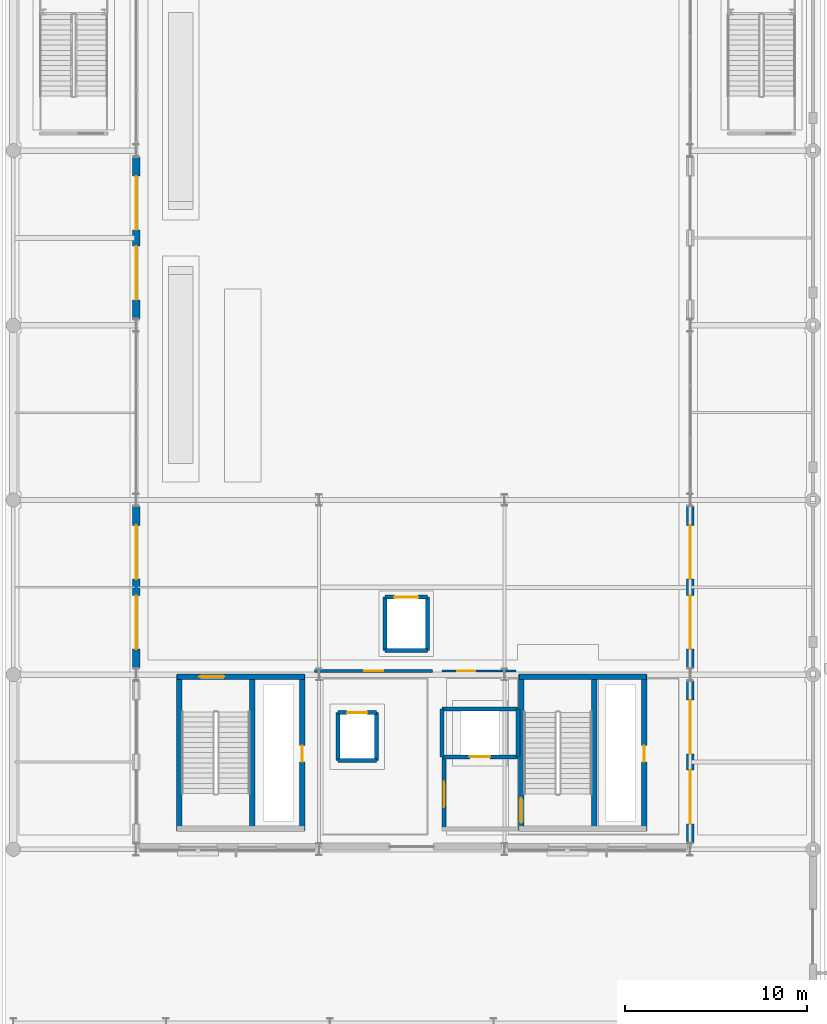
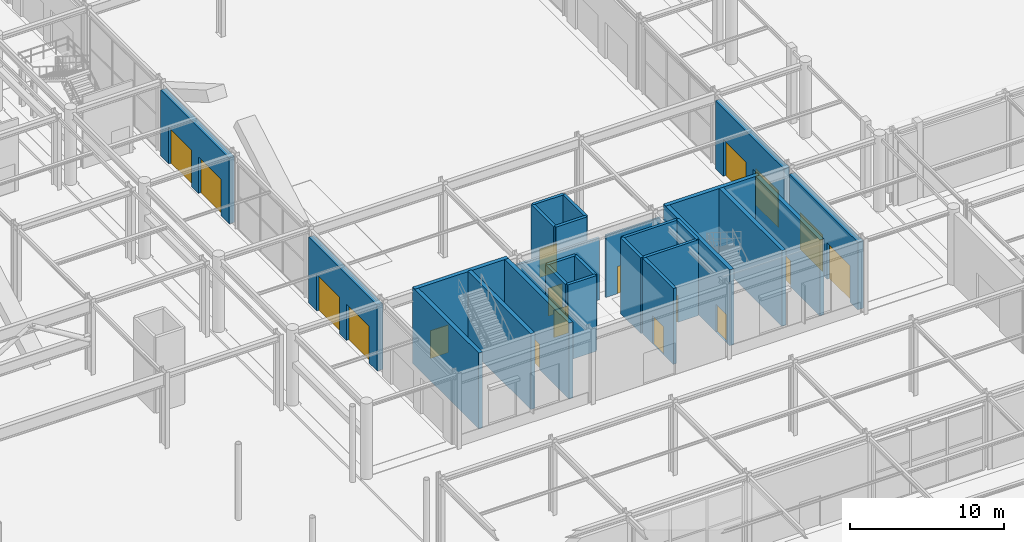
# One storey, part 60 of 113: 27 walls, 18 doors, 18 openings.
"""IFC4 building model written with IfcOpenShell, lengths in metres."""

from ifc_helpers import new_model, si_unit, direction, frame, frame_2d, origin, place, context, subcontext, project, spatial, rectangle, extrude, material, layer, layer_set, type_object, element, fill, save


model = new_model("IFC4")

# Units and contexts
model_context = context("Model", 3, precision=1e-05, world=origin(), true_north=direction((0.0, 1.0)))
body_context = subcontext(model_context, "Body", "Model", "MODEL_VIEW")
ifc_project = project(units=[si_unit("LENGTHUNIT", "METRE"), si_unit("AREAUNIT", "SQUARE_METRE"), si_unit("VOLUMEUNIT", "CUBIC_METRE"), si_unit("PLANEANGLEUNIT", "RADIAN"), si_unit("MASSUNIT", "GRAM", prefix="KILO")], contexts=[model_context])

# Site, building, storey
site_placement = place(None, origin())
site = spatial("IfcSite", under=ifc_project, at=site_placement, CompositionType="ELEMENT")
building_placement = place(site_placement, origin())
building = spatial("IfcBuilding", under=site, at=building_placement, Name="Myrtia Square Station", CompositionType="ELEMENT")
storey_placement = place(building_placement, origin())
storey = spatial("IfcBuildingStorey", under=building, at=storey_placement, Name="L00", CompositionType="ELEMENT", Elevation=0.0)

# Wall, opening, door
ifc_material_1 = material(Name="Concrete C35/45", Category="concrete")
ifc_layer_1 = layer(ifc_material_1, 0.300048828125, Name="Concrete C35/45")
ifc_layer_set_1 = layer_set([ifc_layer_1], Name="Concrete C35/45")
wall_type_1 = type_object("IfcWallType", Name="WL-CORE-300", PredefinedType="SHEAR", material=ifc_layer_set_1)
wall_1_placement = place(storey_placement, frame((81.60009765625, 38.27490234375, 0.0), z_axis=(0.0, 0.0, 1.0), x_axis=(1.0, 0.0, 0.0)))
wall_1 = element("IfcWall", 1, at=wall_1_placement, inside=storey, type_object=wall_type_1, Name="Core K1 shear wall L00 N", PredefinedType="SHEAR", context=body_context, shape_type="SweptSolid", body=[
    extrude(rectangle(XDim=7.0, YDim=0.300048828125, at=frame_2d((3.5, 0.0))), origin(), (0.0, 0.0, 1.0), 6.0),
])
opening_1_placement = place(wall_1_placement, frame((1.25, 0.0, 0.0)))
opening_1 = element("IfcOpeningElement", 2, at=opening_1_placement, cuts=wall_1, Name="Opening SD-003", PredefinedType="OPENING", context=body_context, shape_type="SweptSolid", body=[
    extrude(rectangle(XDim=1.35009765625, YDim=2.199951171875, at=frame_2d((0.675048828125, 1.10009765625))), frame((0.0, 0.1650390625, 0.0), z_axis=(0.0, -1.0, 0.0), x_axis=(1.0, 0.0, 0.0)), (0.0, 0.0, 1.0), 0.330078125),
])
ifc_material_2 = material(Name="Dark bronze anodised aluminium", Category="aluminium")
door_type_1 = type_object("IfcDoorType", Name="DR-STAIR-1350x2200", OperationType="NOTDEFINED", PredefinedType="DOOR", material=ifc_material_2)
door_1_placement = place(opening_1_placement, origin())
door_1 = element("IfcDoor", 3, at=door_1_placement, inside=storey, type_object=door_type_1, Name="Protected stair fire door K1 L00", OperationType="SINGLE_SWING_LEFT", OverallHeight=2.199951171875, OverallWidth=1.35009765625, PredefinedType="DOOR", context=body_context, shape_type="SweptSolid", body=[
    extrude(rectangle(XDim=1.35009765625, YDim=2.199951171875, at=frame_2d((0.675048828125, 1.10009765625))), frame((0.0, 0.02490234375, 0.0), z_axis=(0.0, -1.0, 0.0), x_axis=(1.0, 0.0, 0.0)), (0.0, 0.0, 1.0), 0.050048828125),
])
fill(opening_1, door_1)

# Wall
wall_2_placement = place(storey_placement, frame((81.72509765625, 29.800048828125, 0.0), z_axis=(0.0, 0.0, 1.0), x_axis=(0.0, 1.0, 0.0)))
element("IfcWall", 4, at=wall_2_placement, inside=storey, type_object=wall_type_1, Name="Core K1 shear wall L00 W", PredefinedType="SHEAR", context=body_context, shape_type="SweptSolid", body=[
    extrude(rectangle(XDim=8.599853515625, YDim=0.300048828125, at=frame_2d((4.2998046875, 0.0))), origin(), (0.0, 0.0, 1.0), 6.0),
])

# Wall, opening, door
wall_3_placement = place(storey_placement, frame((88.47509765625, 29.800048828125, 0.0), z_axis=(0.0, 0.0, 1.0), x_axis=(0.0, 1.0, 0.0)))
wall_3 = element("IfcWall", 5, at=wall_3_placement, inside=storey, type_object=wall_type_1, Name="Core K1 shear wall L00 E", PredefinedType="SHEAR", context=body_context, shape_type="SweptSolid", body=[
    extrude(rectangle(XDim=8.599853515625, YDim=0.300048828125, at=frame_2d((4.2998046875, 0.0))), origin(), (0.0, 0.0, 1.0), 6.0),
])
opening_2_placement = place(wall_3_placement, frame((3.800048828125, 0.0, 0.0)))
opening_2 = element("IfcOpeningElement", 6, at=opening_2_placement, cuts=wall_3, Name="Opening RD-004", PredefinedType="OPENING", context=body_context, shape_type="SweptSolid", body=[
    extrude(rectangle(XDim=0.89990234375, YDim=2.050048828125, at=frame_2d((0.449951171875, 1.02490234375))), frame((0.0, 0.1650390625, 0.0), z_axis=(0.0, -1.0, 0.0), x_axis=(1.0, 0.0, 0.0)), (0.0, 0.0, 1.0), 0.330078125),
])
door_type_2 = type_object("IfcDoorType", Name="DR-RISER-900x2050", OperationType="NOTDEFINED", PredefinedType="DOOR", material=ifc_material_2)
door_2_placement = place(opening_2_placement, origin())
door_2 = element("IfcDoor", 7, at=door_2_placement, inside=storey, type_object=door_type_2, Name="Riser cupboard access door K1 L00", OperationType="SINGLE_SWING_RIGHT", OverallHeight=2.050048828125, OverallWidth=0.89990234375, PredefinedType="DOOR", context=body_context, shape_type="SweptSolid", body=[
    extrude(rectangle(XDim=0.89990234375, YDim=2.050048828125, at=frame_2d((0.449951171875, 1.02490234375))), frame((0.0, 0.02490234375, 0.0), z_axis=(0.0, -1.0, 0.0), x_axis=(1.0, 0.0, 0.0)), (0.0, 0.0, 1.0), 0.050048828125),
])
fill(opening_2, door_2)

# Walls
wall_4_placement = place(storey_placement, frame((85.739990234375, 30.0, 0.0), z_axis=(0.0, 0.0, 1.0), x_axis=(0.0, 1.0, 0.0)))
element("IfcWall", 8, at=wall_4_placement, inside=storey, type_object=wall_type_1, Name="Core K1 shear wall L00 D", PredefinedType="SHEAR", context=body_context, shape_type="SweptSolid", body=[
    extrude(rectangle(XDim=8.199951171875, YDim=0.300048828125, at=frame_2d((4.10009765625, 0.0))), origin(), (0.0, 0.0, 1.0), 6.0),
])
wall_5_placement = place(storey_placement, frame((100.39990234375, 38.27490234375, 0.0), z_axis=(0.0, 0.0, 1.0), x_axis=(1.0, 0.0, 0.0)))
element("IfcWall", 9, at=wall_5_placement, inside=storey, type_object=wall_type_1, Name="Core K3 shear wall L00 N", PredefinedType="SHEAR", context=body_context, shape_type="SweptSolid", body=[
    extrude(rectangle(XDim=7.0, YDim=0.300048828125, at=frame_2d((3.5, 0.0))), origin(), (0.0, 0.0, 1.0), 6.0),
])

# Wall, opening, door
wall_6_placement = place(storey_placement, frame((100.52490234375, 29.800048828125, 0.0), z_axis=(0.0, 0.0, 1.0), x_axis=(0.0, 1.0, 0.0)))
wall_6 = element("IfcWall", 10, at=wall_6_placement, inside=storey, type_object=wall_type_1, Name="Core K3 shear wall L00 W", PredefinedType="SHEAR", context=body_context, shape_type="SweptSolid", body=[
    extrude(rectangle(XDim=8.599853515625, YDim=0.300048828125, at=frame_2d((4.2998046875, 0.0))), origin(), (0.0, 0.0, 1.0), 6.0),
])
opening_3_placement = place(wall_6_placement, frame((0.449951171875, 0.0, 0.0)))
opening_3 = element("IfcOpeningElement", 11, at=opening_3_placement, cuts=wall_6, Name="Opening SD-024", PredefinedType="OPENING", context=body_context, shape_type="SweptSolid", body=[
    extrude(rectangle(XDim=1.35009765625, YDim=2.199951171875, at=frame_2d((0.675048828125, 1.10009765625))), frame((0.0, 0.1650390625, 0.0), z_axis=(0.0, -1.0, 0.0), x_axis=(1.0, 0.0, 0.0)), (0.0, 0.0, 1.0), 0.330078125),
])
door_3_placement = place(opening_3_placement, origin())
door_3 = element("IfcDoor", 12, at=door_3_placement, inside=storey, type_object=door_type_1, Name="Protected stair fire door K3 L00", OperationType="SINGLE_SWING_RIGHT", OverallHeight=2.199951171875, OverallWidth=1.35009765625, PredefinedType="DOOR", context=body_context, shape_type="SweptSolid", body=[
    extrude(rectangle(XDim=1.35009765625, YDim=2.199951171875, at=frame_2d((0.675048828125, 1.10009765625))), frame((0.0, 0.02490234375, 0.0), z_axis=(0.0, -1.0, 0.0), x_axis=(1.0, 0.0, 0.0)), (0.0, 0.0, 1.0), 0.050048828125),
])
fill(opening_3, door_3)

wall_7_placement = place(storey_placement, frame((107.27490234375, 29.800048828125, 0.0), z_axis=(0.0, 0.0, 1.0), x_axis=(0.0, 1.0, 0.0)))
wall_7 = element("IfcWall", 13, at=wall_7_placement, inside=storey, type_object=wall_type_1, Name="Core K3 shear wall L00 E", PredefinedType="SHEAR", context=body_context, shape_type="SweptSolid", body=[
    extrude(rectangle(XDim=8.599853515625, YDim=0.300048828125, at=frame_2d((4.2998046875, 0.0))), origin(), (0.0, 0.0, 1.0), 6.0),
])
opening_4_placement = place(wall_7_placement, frame((3.800048828125, 0.0, 0.0)))
opening_4 = element("IfcOpeningElement", 14, at=opening_4_placement, cuts=wall_7, Name="Opening RD-025", PredefinedType="OPENING", context=body_context, shape_type="SweptSolid", body=[
    extrude(rectangle(XDim=0.89990234375, YDim=2.050048828125, at=frame_2d((0.449951171875, 1.02490234375))), frame((0.0, 0.1650390625, 0.0), z_axis=(0.0, -1.0, 0.0), x_axis=(1.0, 0.0, 0.0)), (0.0, 0.0, 1.0), 0.330078125),
])
door_4_placement = place(opening_4_placement, origin())
door_4 = element("IfcDoor", 15, at=door_4_placement, inside=storey, type_object=door_type_2, Name="Riser cupboard access door K3 L00", OperationType="SINGLE_SWING_LEFT", OverallHeight=2.050048828125, OverallWidth=0.89990234375, PredefinedType="DOOR", context=body_context, shape_type="SweptSolid", body=[
    extrude(rectangle(XDim=0.89990234375, YDim=2.050048828125, at=frame_2d((0.449951171875, 1.02490234375))), frame((0.0, 0.02490234375, 0.0), z_axis=(0.0, -1.0, 0.0), x_axis=(1.0, 0.0, 0.0)), (0.0, 0.0, 1.0), 0.050048828125),
])
fill(opening_4, door_4)

# Wall
wall_8_placement = place(storey_placement, frame((104.5400390625, 30.0, 0.0), z_axis=(0.0, 0.0, 1.0), x_axis=(0.0, 1.0, 0.0)))
element("IfcWall", 16, at=wall_8_placement, inside=storey, type_object=wall_type_1, Name="Core K3 shear wall L00 D", PredefinedType="SHEAR", context=body_context, shape_type="SweptSolid", body=[
    extrude(rectangle(XDim=8.199951171875, YDim=0.300048828125, at=frame_2d((4.10009765625, 0.0))), origin(), (0.0, 0.0, 1.0), 6.0),
])

# Wall, openings, doors
ifc_material_3 = material(Name="Pentelic marble ashlar", Category="masonry")
ifc_layer_2 = layer(ifc_material_3, 0.419921875, Name="Pentelic marble ashlar")
ifc_layer_set_2 = layer_set([ifc_layer_2], Name="Pentelic marble ashlar")
wall_type_2 = type_object("IfcWallType", Name="WL-EXT-ASHLAR-420", PredefinedType="SOLIDWALL", material=ifc_layer_set_2)
wall_9_placement = place(storey_placement, frame((109.800048828125, 29.155029296875, 0.0), z_axis=(0.0, 0.0, 1.0), x_axis=(0.0, 1.0, 0.0)))
wall_9 = element("IfcWall", 17, at=wall_9_placement, inside=storey, type_object=wall_type_2, Name="Exterior envelope wall EW-L00-0002", PredefinedType="SOLIDWALL", context=body_context, shape_type="SweptSolid", body=[
    extrude(rectangle(XDim=8.889892578125, YDim=0.419921875, at=frame_2d((4.44482421875, 0.0))), origin(), (0.0, 0.0, 1.0), 5.360107421875),
])
opening_5_placement = place(wall_9_placement, frame((1.044921875, 0.0, 0.0)))
opening_5 = element("IfcOpeningElement", 18, at=opening_5_placement, cuts=wall_9, Name="Opening ED-003", PredefinedType="OPENING", context=body_context, shape_type="SweptSolid", body=[
    extrude(rectangle(XDim=2.949951171875, YDim=2.89990234375, at=frame_2d((1.47509765625, 1.449951171875))), frame((0.0, 0.224853515625, 0.0), z_axis=(0.0, -1.0, 0.0), x_axis=(1.0, 0.0, 0.0)), (0.0, 0.0, 1.0), 0.449951171875),
])
opening_6_placement = place(wall_9_placement, frame((4.89501953125, 0.0, 0.0)))
opening_6 = element("IfcOpeningElement", 19, at=opening_6_placement, cuts=wall_9, Name="Opening ED-004", PredefinedType="OPENING", context=body_context, shape_type="SweptSolid", body=[
    extrude(rectangle(XDim=2.949951171875, YDim=2.89990234375, at=frame_2d((1.47509765625, 1.449951171875))), frame((0.0, 0.224853515625, 0.0), z_axis=(0.0, -1.0, 0.0), x_axis=(1.0, 0.0, 0.0)), (0.0, 0.0, 1.0), 0.449951171875),
])
door_type_3 = type_object("IfcDoorType", Name="DR-MAIN-2950x2900", OperationType="NOTDEFINED", PredefinedType="DOOR", material=ifc_material_2)
door_5_placement = place(opening_5_placement, frame((2.949951171875, 0.0, 0.0), z_axis=(0.0, 0.0, 1.0), x_axis=(-1.0, 0.0, 0.0)))
door_5 = element("IfcDoor", 20, at=door_5_placement, inside=storey, type_object=door_type_3, Name="Pedestrian exit door ED-003", OperationType="DOUBLE_DOOR_SINGLE_SWING", OverallHeight=2.89990234375, OverallWidth=2.949951171875, PredefinedType="DOOR", context=body_context, shape_type="SweptSolid", body=[
    extrude(rectangle(XDim=2.949951171875, YDim=2.89990234375, at=frame_2d((1.47509765625, 1.449951171875))), frame((0.0, 0.02490234375, 0.0), z_axis=(0.0, -1.0, 0.0), x_axis=(1.0, 0.0, 0.0)), (0.0, 0.0, 1.0), 0.050048828125),
])
fill(opening_5, door_5)
door_6_placement = place(opening_6_placement, frame((2.949951171875, 0.0, 0.0), z_axis=(0.0, 0.0, 1.0), x_axis=(-1.0, 0.0, 0.0)))
door_6 = element("IfcDoor", 21, at=door_6_placement, inside=storey, type_object=door_type_3, Name="Pedestrian exit door ED-004", OperationType="DOUBLE_DOOR_SINGLE_SWING", OverallHeight=2.89990234375, OverallWidth=2.949951171875, PredefinedType="DOOR", context=body_context, shape_type="SweptSolid", body=[
    extrude(rectangle(XDim=2.949951171875, YDim=2.89990234375, at=frame_2d((1.47509765625, 1.449951171875))), frame((0.0, 0.02490234375, 0.0), z_axis=(0.0, -1.0, 0.0), x_axis=(1.0, 0.0, 0.0)), (0.0, 0.0, 1.0), 0.050048828125),
])
fill(opening_6, door_6)

wall_10_placement = place(storey_placement, frame((79.35009765625, 38.7548828125, 0.0), z_axis=(0.0, 0.0, 1.0), x_axis=(0.0, 1.0, 0.0)))
wall_10 = element("IfcWall", 22, at=wall_10_placement, inside=storey, type_object=wall_type_2, Name="Exterior envelope wall EW-L00-0003", PredefinedType="SOLIDWALL", context=body_context, shape_type="SweptSolid", body=[
    extrude(rectangle(XDim=8.89013671875, YDim=0.419921875, at=frame_2d((4.445068359375, 0.0))), origin(), (0.0, 0.0, 1.0), 5.219970703125),
])
opening_7_placement = place(wall_10_placement, frame((1.044921875, 0.0, 0.0)))
opening_7 = element("IfcOpeningElement", 23, at=opening_7_placement, cuts=wall_10, Name="Opening ED-005", PredefinedType="OPENING", context=body_context, shape_type="SweptSolid", body=[
    extrude(rectangle(XDim=2.949951171875, YDim=2.89990234375, at=frame_2d((1.47509765625, 1.449951171875))), frame((0.0, 0.224853515625, 0.0), z_axis=(0.0, -1.0, 0.0), x_axis=(1.0, 0.0, 0.0)), (0.0, 0.0, 1.0), 0.449951171875),
])
opening_8_placement = place(wall_10_placement, frame((4.89501953125, 0.0, 0.0)))
opening_8 = element("IfcOpeningElement", 24, at=opening_8_placement, cuts=wall_10, Name="Opening ED-006", PredefinedType="OPENING", context=body_context, shape_type="SweptSolid", body=[
    extrude(rectangle(XDim=2.949951171875, YDim=2.89990234375, at=frame_2d((1.47509765625, 1.449951171875))), frame((0.0, 0.224853515625, 0.0), z_axis=(0.0, -1.0, 0.0), x_axis=(1.0, 0.0, 0.0)), (0.0, 0.0, 1.0), 0.449951171875),
])
door_7_placement = place(opening_7_placement, origin())
door_7 = element("IfcDoor", 25, at=door_7_placement, inside=storey, type_object=door_type_3, Name="Pedestrian exit door ED-005", OperationType="DOUBLE_DOOR_SINGLE_SWING", OverallHeight=2.89990234375, OverallWidth=2.949951171875, PredefinedType="DOOR", context=body_context, shape_type="SweptSolid", body=[
    extrude(rectangle(XDim=2.949951171875, YDim=2.89990234375, at=frame_2d((1.47509765625, 1.449951171875))), frame((0.0, 0.02490234375, 0.0), z_axis=(0.0, -1.0, 0.0), x_axis=(1.0, 0.0, 0.0)), (0.0, 0.0, 1.0), 0.050048828125),
])
fill(opening_7, door_7)
door_8_placement = place(opening_8_placement, origin())
door_8 = element("IfcDoor", 26, at=door_8_placement, inside=storey, type_object=door_type_3, Name="Pedestrian exit door ED-006", OperationType="DOUBLE_DOOR_SINGLE_SWING", OverallHeight=2.89990234375, OverallWidth=2.949951171875, PredefinedType="DOOR", context=body_context, shape_type="SweptSolid", body=[
    extrude(rectangle(XDim=2.949951171875, YDim=2.89990234375, at=frame_2d((1.47509765625, 1.449951171875))), frame((0.0, 0.02490234375, 0.0), z_axis=(0.0, -1.0, 0.0), x_axis=(1.0, 0.0, 0.0)), (0.0, 0.0, 1.0), 0.050048828125),
])
fill(opening_8, door_8)

wall_11_placement = place(storey_placement, frame((109.800048828125, 38.7548828125, 0.0), z_axis=(0.0, 0.0, 1.0), x_axis=(0.0, 1.0, 0.0)))
wall_11 = element("IfcWall", 27, at=wall_11_placement, inside=storey, type_object=wall_type_2, Name="Exterior envelope wall EW-L00-0004", PredefinedType="SOLIDWALL", context=body_context, shape_type="SweptSolid", body=[
    extrude(rectangle(XDim=8.89013671875, YDim=0.419921875, at=frame_2d((4.445068359375, 0.0))), origin(), (0.0, 0.0, 1.0), 5.360107421875),
])
opening_9_placement = place(wall_11_placement, frame((1.044921875, 0.0, 0.0)))
opening_9 = element("IfcOpeningElement", 28, at=opening_9_placement, cuts=wall_11, Name="Opening ED-007", PredefinedType="OPENING", context=body_context, shape_type="SweptSolid", body=[
    extrude(rectangle(XDim=2.949951171875, YDim=2.89990234375, at=frame_2d((1.47509765625, 1.449951171875))), frame((0.0, 0.224853515625, 0.0), z_axis=(0.0, -1.0, 0.0), x_axis=(1.0, 0.0, 0.0)), (0.0, 0.0, 1.0), 0.449951171875),
])
opening_10_placement = place(wall_11_placement, frame((4.89501953125, 0.0, 0.0)))
opening_10 = element("IfcOpeningElement", 29, at=opening_10_placement, cuts=wall_11, Name="Opening ED-008", PredefinedType="OPENING", context=body_context, shape_type="SweptSolid", body=[
    extrude(rectangle(XDim=2.949951171875, YDim=2.89990234375, at=frame_2d((1.47509765625, 1.449951171875))), frame((0.0, 0.224853515625, 0.0), z_axis=(0.0, -1.0, 0.0), x_axis=(1.0, 0.0, 0.0)), (0.0, 0.0, 1.0), 0.449951171875),
])
door_9_placement = place(opening_9_placement, frame((2.949951171875, 0.0, 0.0), z_axis=(0.0, 0.0, 1.0), x_axis=(-1.0, 0.0, 0.0)))
door_9 = element("IfcDoor", 30, at=door_9_placement, inside=storey, type_object=door_type_3, Name="Pedestrian exit door ED-007", OperationType="DOUBLE_DOOR_SINGLE_SWING", OverallHeight=2.89990234375, OverallWidth=2.949951171875, PredefinedType="DOOR", context=body_context, shape_type="SweptSolid", body=[
    extrude(rectangle(XDim=2.949951171875, YDim=2.89990234375, at=frame_2d((1.47509765625, 1.449951171875))), frame((0.0, 0.02490234375, 0.0), z_axis=(0.0, -1.0, 0.0), x_axis=(1.0, 0.0, 0.0)), (0.0, 0.0, 1.0), 0.050048828125),
])
fill(opening_9, door_9)
door_10_placement = place(opening_10_placement, frame((2.949951171875, 0.0, 0.0), z_axis=(0.0, 0.0, 1.0), x_axis=(-1.0, 0.0, 0.0)))
door_10 = element("IfcDoor", 31, at=door_10_placement, inside=storey, type_object=door_type_3, Name="Pedestrian exit door ED-008", OperationType="DOUBLE_DOOR_SINGLE_SWING", OverallHeight=2.89990234375, OverallWidth=2.949951171875, PredefinedType="DOOR", context=body_context, shape_type="SweptSolid", body=[
    extrude(rectangle(XDim=2.949951171875, YDim=2.89990234375, at=frame_2d((1.47509765625, 1.449951171875))), frame((0.0, 0.02490234375, 0.0), z_axis=(0.0, -1.0, 0.0), x_axis=(1.0, 0.0, 0.0)), (0.0, 0.0, 1.0), 0.050048828125),
])
fill(opening_10, door_10)

wall_12_placement = place(storey_placement, frame((79.35009765625, 57.955078125, 0.0), z_axis=(0.0, 0.0, 1.0), x_axis=(0.0, 1.0, 0.0)))
wall_12 = element("IfcWall", 32, at=wall_12_placement, inside=storey, type_object=wall_type_2, Name="Exterior envelope wall EW-L00-0005", PredefinedType="SOLIDWALL", context=body_context, shape_type="SweptSolid", body=[
    extrude(rectangle(XDim=8.889892578125, YDim=0.419921875, at=frame_2d((4.44482421875, 0.0))), origin(), (0.0, 0.0, 1.0), 5.219970703125),
])
opening_11_placement = place(wall_12_placement, frame((1.044921875, 0.0, 0.0)))
opening_11 = element("IfcOpeningElement", 33, at=opening_11_placement, cuts=wall_12, Name="Opening ED-009", PredefinedType="OPENING", context=body_context, shape_type="SweptSolid", body=[
    extrude(rectangle(XDim=2.949951171875, YDim=2.89990234375, at=frame_2d((1.47509765625, 1.449951171875))), frame((0.0, 0.224853515625, 0.0), z_axis=(0.0, -1.0, 0.0), x_axis=(1.0, 0.0, 0.0)), (0.0, 0.0, 1.0), 0.449951171875),
])
opening_12_placement = place(wall_12_placement, frame((4.89501953125, 0.0, 0.0)))
opening_12 = element("IfcOpeningElement", 34, at=opening_12_placement, cuts=wall_12, Name="Opening ED-010", PredefinedType="OPENING", context=body_context, shape_type="SweptSolid", body=[
    extrude(rectangle(XDim=2.949951171875, YDim=2.89990234375, at=frame_2d((1.47509765625, 1.449951171875))), frame((0.0, 0.224853515625, 0.0), z_axis=(0.0, -1.0, 0.0), x_axis=(1.0, 0.0, 0.0)), (0.0, 0.0, 1.0), 0.449951171875),
])
door_11_placement = place(opening_11_placement, origin())
door_11 = element("IfcDoor", 35, at=door_11_placement, inside=storey, type_object=door_type_3, Name="Pedestrian exit door ED-009", OperationType="DOUBLE_DOOR_SINGLE_SWING", OverallHeight=2.89990234375, OverallWidth=2.949951171875, PredefinedType="DOOR", context=body_context, shape_type="SweptSolid", body=[
    extrude(rectangle(XDim=2.949951171875, YDim=2.89990234375, at=frame_2d((1.47509765625, 1.449951171875))), frame((0.0, 0.02490234375, 0.0), z_axis=(0.0, -1.0, 0.0), x_axis=(1.0, 0.0, 0.0)), (0.0, 0.0, 1.0), 0.050048828125),
])
fill(opening_11, door_11)
door_12_placement = place(opening_12_placement, origin())
door_12 = element("IfcDoor", 36, at=door_12_placement, inside=storey, type_object=door_type_3, Name="Pedestrian exit door ED-010", OperationType="DOUBLE_DOOR_SINGLE_SWING", OverallHeight=2.89990234375, OverallWidth=2.949951171875, PredefinedType="DOOR", context=body_context, shape_type="SweptSolid", body=[
    extrude(rectangle(XDim=2.949951171875, YDim=2.89990234375, at=frame_2d((1.47509765625, 1.449951171875))), frame((0.0, 0.02490234375, 0.0), z_axis=(0.0, -1.0, 0.0), x_axis=(1.0, 0.0, 0.0)), (0.0, 0.0, 1.0), 0.050048828125),
])
fill(opening_12, door_12)

# Wall, opening, door
ifc_layer_3 = layer(ifc_material_1, 0.239990234375, Name="Concrete C35/45")
ifc_layer_set_3 = layer_set([ifc_layer_3], Name="Concrete C35/45")
wall_type_3 = type_object("IfcWallType", Name="WL-FFL-240", PredefinedType="SHEAR", material=ifc_layer_set_3)
wall_13_placement = place(storey_placement, frame((96.27001953125, 29.800048828125, 0.0), z_axis=(0.0, 0.0, 1.0), x_axis=(0.0, 1.0, 0.0)))
wall_13 = element("IfcWall", 37, at=wall_13_placement, inside=storey, type_object=wall_type_3, Name="Firefighting lift lobby EI 120 wall K3 L00 W", PredefinedType="SHEAR", context=body_context, shape_type="SweptSolid", body=[
    extrude(rectangle(XDim=4.0, YDim=0.239990234375, at=frame_2d((2.0, 0.0))), origin(), (0.0, 0.0, 1.0), 6.0),
])
opening_13_placement = place(wall_13_placement, frame((1.300048828125, 0.0, 0.0)))
opening_13 = element("IfcOpeningElement", 38, at=opening_13_placement, cuts=wall_13, Name="Opening FD-026", PredefinedType="OPENING", context=body_context, shape_type="SweptSolid", body=[
    extrude(rectangle(XDim=1.39990234375, YDim=2.199951171875, at=frame_2d((0.699951171875, 1.10009765625))), frame((0.0, 0.135009765625, 0.0), z_axis=(0.0, -1.0, 0.0), x_axis=(1.0, 0.0, 0.0)), (0.0, 0.0, 1.0), 0.27001953125),
])
door_type_4 = type_object("IfcDoorType", Name="DR-FFL-1400x2200", OperationType="NOTDEFINED", PredefinedType="DOOR", material=ifc_material_2)
door_13_placement = place(opening_13_placement, origin())
door_13 = element("IfcDoor", 39, at=door_13_placement, inside=storey, type_object=door_type_4, Name="Firefighting lobby fire door K3 L00", OperationType="SINGLE_SWING_RIGHT", OverallHeight=2.199951171875, OverallWidth=1.39990234375, PredefinedType="DOOR", context=body_context, shape_type="SweptSolid", body=[
    extrude(rectangle(XDim=1.39990234375, YDim=2.199951171875, at=frame_2d((0.699951171875, 1.10009765625))), frame((0.0, 0.02490234375, 0.0), z_axis=(0.0, -1.0, 0.0), x_axis=(1.0, 0.0, 0.0)), (0.0, 0.0, 1.0), 0.050048828125),
])
fill(opening_13, door_13)

# Wall
ifc_layer_4 = layer(ifc_material_1, 0.219970703125, Name="Concrete C35/45")
ifc_layer_set_4 = layer_set([ifc_layer_4], Name="Concrete C35/45")
wall_type_4 = type_object("IfcWallType", Name="WL-LIFT-220", PredefinedType="SHEAR", material=ifc_layer_set_4)
wall_14_placement = place(storey_placement, frame((90.43994140625, 33.68994140625, 0.0), z_axis=(0.0, 0.0, 1.0), x_axis=(1.0, 0.0, 0.0)))
element("IfcWall", 40, at=wall_14_placement, inside=storey, type_object=wall_type_4, Name="Lift shaft wall PL-05 L00 -Y", PredefinedType="SHEAR", context=body_context, shape_type="SweptSolid", body=[
    extrude(rectangle(XDim=2.1201171875, YDim=0.219970703125, at=frame_2d((1.06005859375, 0.0))), origin(), (0.0, 0.0, 1.0), 6.0),
])

# Wall, opening, door
wall_15_placement = place(storey_placement, frame((90.43994140625, 36.31005859375, 0.0), z_axis=(0.0, 0.0, 1.0), x_axis=(1.0, 0.0, 0.0)))
wall_15 = element("IfcWall", 41, at=wall_15_placement, inside=storey, type_object=wall_type_4, Name="Lift shaft wall PL-05 L00 +Y", PredefinedType="SHEAR", context=body_context, shape_type="SweptSolid", body=[
    extrude(rectangle(XDim=2.1201171875, YDim=0.219970703125, at=frame_2d((1.06005859375, 0.0))), origin(), (0.0, 0.0, 1.0), 6.0),
])
opening_14_placement = place(wall_15_placement, frame((0.510009765625, 0.0, 0.0)))
opening_14 = element("IfcOpeningElement", 42, at=opening_14_placement, cuts=wall_15, Name="Opening LD-PL-05", PredefinedType="OPENING", context=body_context, shape_type="SweptSolid", body=[
    extrude(rectangle(XDim=1.10009765625, YDim=2.14990234375, at=frame_2d((0.550048828125, 1.074951171875))), frame((0.0, 0.125, 0.0), z_axis=(0.0, -1.0, 0.0), x_axis=(1.0, 0.0, 0.0)), (0.0, 0.0, 1.0), 0.25),
])
door_type_5 = type_object("IfcDoorType", Name="DR-LIFT-1100x2150", OperationType="NOTDEFINED", PredefinedType="DOOR", material=ifc_material_2)
door_14_placement = place(opening_14_placement, origin())
door_14 = element("IfcDoor", 43, at=door_14_placement, inside=storey, type_object=door_type_5, Name="Lift landing door PL-05 L00", OperationType="SLIDING_TO_RIGHT", OverallHeight=2.14990234375, OverallWidth=1.10009765625, PredefinedType="DOOR", context=body_context, shape_type="SweptSolid", body=[
    extrude(rectangle(XDim=1.10009765625, YDim=2.14990234375, at=frame_2d((0.550048828125, 1.074951171875))), frame((0.0, 0.02490234375, 0.0), z_axis=(0.0, -1.0, 0.0), x_axis=(1.0, 0.0, 0.0)), (0.0, 0.0, 1.0), 0.050048828125),
])
fill(opening_14, door_14)

# Walls
for number, where, z_axis, x_axis, name in (
    (44, (90.43994140625, 33.68994140625, 0.0), (0.0, 0.0, 1.0), (0.0, 1.0, 0.0), "Lift shaft wall PL-05 L00 -X"),
    (45, (92.56005859375, 33.68994140625, 0.0), (0.0, 0.0, 1.0), (0.0, 1.0, 0.0), "Lift shaft wall PL-05 L00 +X"),
):
    element("IfcWall", number, at=place(storey_placement, frame(where, z_axis=z_axis, x_axis=x_axis)), inside=storey, type_object=wall_type_4, Name=name, PredefinedType="SHEAR", context=body_context, shape_type="SweptSolid", body=[
        extrude(rectangle(XDim=2.6201171875, YDim=0.219970703125, at=frame_2d((1.31005859375, 0.0))), origin(), (0.0, 0.0, 1.0), 6.0),
    ])

# Wall, opening, door
wall_16_placement = place(storey_placement, frame((96.169921875, 33.8798828125, 0.0), z_axis=(0.0, 0.0, 1.0), x_axis=(1.0, 0.0, 0.0)))
wall_16 = element("IfcWall", 46, at=wall_16_placement, inside=storey, type_object=wall_type_4, Name="Lift shaft wall FFL-01 L00 -Y", PredefinedType="SHEAR", context=body_context, shape_type="SweptSolid", body=[
    extrude(rectangle(XDim=4.16015625, YDim=0.219970703125, at=frame_2d((2.080078125, 0.0))), origin(), (0.0, 0.0, 1.0), 6.0),
])
opening_15_placement = place(wall_16_placement, frame((1.530029296875, 0.0, 0.0)))
opening_15 = element("IfcOpeningElement", 47, at=opening_15_placement, cuts=wall_16, Name="Opening LD-FFL-01", PredefinedType="OPENING", context=body_context, shape_type="SweptSolid", body=[
    extrude(rectangle(XDim=1.10009765625, YDim=2.14990234375, at=frame_2d((0.550048828125, 1.074951171875))), frame((0.0, 0.125, 0.0), z_axis=(0.0, -1.0, 0.0), x_axis=(1.0, 0.0, 0.0)), (0.0, 0.0, 1.0), 0.25),
])
door_15_placement = place(opening_15_placement, origin())
door_15 = element("IfcDoor", 48, at=door_15_placement, inside=storey, type_object=door_type_5, Name="Lift landing door FFL-01 L00", OperationType="SLIDING_TO_LEFT", OverallHeight=2.14990234375, OverallWidth=1.10009765625, PredefinedType="DOOR", context=body_context, shape_type="SweptSolid", body=[
    extrude(rectangle(XDim=1.10009765625, YDim=2.14990234375, at=frame_2d((0.550048828125, 1.074951171875))), frame((0.0, 0.02490234375, 0.0), z_axis=(0.0, -1.0, 0.0), x_axis=(1.0, 0.0, 0.0)), (0.0, 0.0, 1.0), 0.050048828125),
])
fill(opening_15, door_15)

# Walls
wall_17_placement = place(storey_placement, frame((96.169921875, 36.5, 0.0), z_axis=(0.0, 0.0, 1.0), x_axis=(1.0, 0.0, 0.0)))
element("IfcWall", 49, at=wall_17_placement, inside=storey, type_object=wall_type_4, Name="Lift shaft wall FFL-01 L00 +Y", PredefinedType="SHEAR", context=body_context, shape_type="SweptSolid", body=[
    extrude(rectangle(XDim=4.16015625, YDim=0.219970703125, at=frame_2d((2.080078125, 0.0))), origin(), (0.0, 0.0, 1.0), 6.0),
])
for number, where, z_axis, x_axis, name in (
    (50, (96.169921875, 33.8798828125, 0.0), (0.0, 0.0, 1.0), (0.0, 1.0, 0.0), "Lift shaft wall FFL-01 L00 -X"),
    (51, (100.330078125, 33.8798828125, 0.0), (0.0, 0.0, 1.0), (0.0, 1.0, 0.0), "Lift shaft wall FFL-01 L00 +X"),
):
    element("IfcWall", number, at=place(storey_placement, frame(where, z_axis=z_axis, x_axis=x_axis)), inside=storey, type_object=wall_type_4, Name=name, PredefinedType="SHEAR", context=body_context, shape_type="SweptSolid", body=[
        extrude(rectangle(XDim=2.6201171875, YDim=0.219970703125, at=frame_2d((1.31005859375, 0.0))), origin(), (0.0, 0.0, 1.0), 6.0),
    ])
wall_18_placement = place(storey_placement, frame((93.0400390625, 39.739990234375, 0.0), z_axis=(0.0, 0.0, 1.0), x_axis=(1.0, 0.0, 0.0)))
element("IfcWall", 52, at=wall_18_placement, inside=storey, type_object=wall_type_4, Name="Lift shaft wall GL-01 L00 -Y", PredefinedType="SHEAR", context=body_context, shape_type="SweptSolid", body=[
    extrude(rectangle(XDim=2.320068359375, YDim=0.219970703125, at=frame_2d((1.16015625, 0.0))), origin(), (0.0, 0.0, 1.0), 6.0),
])

# Wall, opening, door
wall_19_placement = place(storey_placement, frame((93.0400390625, 42.659912109375, 0.0), z_axis=(0.0, 0.0, 1.0), x_axis=(1.0, 0.0, 0.0)))
wall_19 = element("IfcWall", 53, at=wall_19_placement, inside=storey, type_object=wall_type_4, Name="Lift shaft wall GL-01 L00 +Y", PredefinedType="SHEAR", context=body_context, shape_type="SweptSolid", body=[
    extrude(rectangle(XDim=2.320068359375, YDim=0.219970703125, at=frame_2d((1.16015625, 0.0))), origin(), (0.0, 0.0, 1.0), 6.0),
])
opening_16_placement = place(wall_19_placement, frame((0.510009765625, 0.0, 0.0)))
opening_16 = element("IfcOpeningElement", 54, at=opening_16_placement, cuts=wall_19, Name="Opening LD-GL-01", PredefinedType="OPENING", context=body_context, shape_type="SweptSolid", body=[
    extrude(rectangle(XDim=1.300048828125, YDim=2.25, at=frame_2d((0.64990234375, 1.125))), frame((0.0, 0.125, 0.0), z_axis=(0.0, -1.0, 0.0), x_axis=(1.0, 0.0, 0.0)), (0.0, 0.0, 1.0), 0.25),
])
door_type_6 = type_object("IfcDoorType", Name="DR-LIFT-1300x2250", OperationType="NOTDEFINED", PredefinedType="DOOR", material=ifc_material_2)
door_16_placement = place(opening_16_placement, origin())
door_16 = element("IfcDoor", 55, at=door_16_placement, inside=storey, type_object=door_type_6, Name="Lift landing door GL-01 L00", OperationType="SLIDING_TO_LEFT", OverallHeight=2.25, OverallWidth=1.300048828125, PredefinedType="DOOR", context=body_context, shape_type="SweptSolid", body=[
    extrude(rectangle(XDim=1.300048828125, YDim=2.25, at=frame_2d((0.64990234375, 1.125))), frame((0.0, 0.02490234375, 0.0), z_axis=(0.0, -1.0, 0.0), x_axis=(1.0, 0.0, 0.0)), (0.0, 0.0, 1.0), 0.050048828125),
])
fill(opening_16, door_16)

# Walls
for number, where, z_axis, x_axis, name in (
    (56, (93.0400390625, 39.739990234375, 0.0), (0.0, 0.0, 1.0), (0.0, 1.0, 0.0), "Lift shaft wall GL-01 L00 -X"),
    (57, (95.360107421875, 39.739990234375, 0.0), (0.0, 0.0, 1.0), (0.0, 1.0, 0.0), "Lift shaft wall GL-01 L00 +X"),
):
    element("IfcWall", number, at=place(storey_placement, frame(where, z_axis=z_axis, x_axis=x_axis)), inside=storey, type_object=wall_type_4, Name=name, PredefinedType="SHEAR", context=body_context, shape_type="SweptSolid", body=[
        extrude(rectangle(XDim=2.919921875, YDim=0.219970703125, at=frame_2d((1.4599609375, 0.0))), origin(), (0.0, 0.0, 1.0), 6.0),
    ])

# Wall, opening, door
ifc_material_4 = material(Name="Gypsum plasterboard")
ifc_layer_5 = layer(ifc_material_4, 0.125, Name="Gypsum plasterboard")
ifc_layer_set_5 = layer_set([ifc_layer_5], Name="Gypsum plasterboard")
wall_type_5 = type_object("IfcWallType", Name="WL-PART-125", PredefinedType="PARTITIONING", material=ifc_layer_set_5)
wall_20_placement = place(storey_placement, frame((96.14990234375, 38.60009765625, 0.0), z_axis=(0.0, 0.0, 1.0), x_axis=(1.0, 0.0, 0.0)))
wall_20 = element("IfcWall", 58, at=wall_20_placement, inside=storey, type_object=wall_type_5, Name="Interior partition wall L00-23", PredefinedType="PARTITIONING", context=body_context, shape_type="SweptSolid", body=[
    extrude(rectangle(XDim=4.090087890625, YDim=0.125, at=frame_2d((2.044921875, 0.0))), origin(), (0.0, 0.0, 1.0), 4.919921875),
])
opening_17_placement = place(wall_20_placement, frame((0.844970703125, 0.0, 0.0)))
opening_17 = element("IfcOpeningElement", 59, at=opening_17_placement, cuts=wall_20, Name="Opening D-233", PredefinedType="OPENING", context=body_context, shape_type="SweptSolid", body=[
    extrude(rectangle(XDim=1.0, YDim=2.14990234375, at=frame_2d((0.5, 1.074951171875))), frame((0.0, 0.077392578125, 0.0), z_axis=(0.0, -1.0, 0.0), x_axis=(1.0, 0.0, 0.0)), (0.0, 0.0, 1.0), 0.155029296875),
])
ifc_material_5 = material(Name="Acoustic European oak timber", Category="wood")
door_type_7 = type_object("IfcDoorType", Name="DR-ROOM-1000x2150", OperationType="NOTDEFINED", PredefinedType="DOOR", material=ifc_material_5)
door_17_placement = place(opening_17_placement, origin())
door_17 = element("IfcDoor", 60, at=door_17_placement, inside=storey, type_object=door_type_7, Name="South-East Concourse Retail Kiosk Hall door D-233", OperationType="SINGLE_SWING_LEFT", OverallHeight=2.14990234375, OverallWidth=1.0, PredefinedType="DOOR", context=body_context, shape_type="SweptSolid", body=[
    extrude(rectangle(XDim=1.0, YDim=2.14990234375, at=frame_2d((0.5, 1.074951171875))), frame((0.0, 0.02490234375, 0.0), z_axis=(0.0, -1.0, 0.0), x_axis=(1.0, 0.0, 0.0)), (0.0, 0.0, 1.0), 0.050048828125),
])
fill(opening_17, door_17)

ifc_layer_6 = layer(ifc_material_4, 0.14990234375, Name="Gypsum plasterboard")
ifc_layer_set_6 = layer_set([ifc_layer_6], Name="Gypsum plasterboard")
wall_type_6 = type_object("IfcWallType", Name="WL-PART-150", PredefinedType="PARTITIONING", material=ifc_layer_set_6)
wall_21_placement = place(storey_placement, frame((89.14990234375, 38.60009765625, 0.0), z_axis=(0.0, 0.0, 1.0), x_axis=(1.0, 0.0, 0.0)))
wall_21 = element("IfcWall", 61, at=wall_21_placement, inside=storey, type_object=wall_type_6, Name="Interior partition wall L00-04", PredefinedType="PARTITIONING", context=body_context, shape_type="SweptSolid", body=[
    extrude(rectangle(XDim=6.5, YDim=0.14990234375, at=frame_2d((3.25, 0.0))), origin(), (0.0, 0.0, 1.0), 4.919921875),
])
opening_18_placement = place(wall_21_placement, frame((2.72509765625, 0.0, 0.0)))
opening_18 = element("IfcOpeningElement", 62, at=opening_18_placement, cuts=wall_21, Name="Opening D-217", PredefinedType="OPENING", context=body_context, shape_type="SweptSolid", body=[
    extrude(rectangle(XDim=1.050048828125, YDim=2.199951171875, at=frame_2d((0.52490234375, 1.10009765625))), frame((0.0, 0.08984375, 0.0), z_axis=(0.0, -1.0, 0.0), x_axis=(1.0, 0.0, 0.0)), (0.0, 0.0, 1.0), 0.179931640625),
])
door_type_8 = type_object("IfcDoorType", Name="DR-ROOM-1050x2200", OperationType="NOTDEFINED", PredefinedType="DOOR", material=ifc_material_5)
door_18_placement = place(opening_18_placement, origin())
door_18 = element("IfcDoor", 63, at=door_18_placement, inside=storey, type_object=door_type_8, Name="Ticket Hall Counter and Rail Reservations door D-217", OperationType="SINGLE_SWING_LEFT", OverallHeight=2.199951171875, OverallWidth=1.050048828125, PredefinedType="DOOR", context=body_context, shape_type="SweptSolid", body=[
    extrude(rectangle(XDim=1.050048828125, YDim=2.199951171875, at=frame_2d((0.52490234375, 1.10009765625))), frame((0.0, 0.02490234375, 0.0), z_axis=(0.0, -1.0, 0.0), x_axis=(1.0, 0.0, 0.0)), (0.0, 0.0, 1.0), 0.050048828125),
])
fill(opening_18, door_18)

save(model, "model.ifc")
